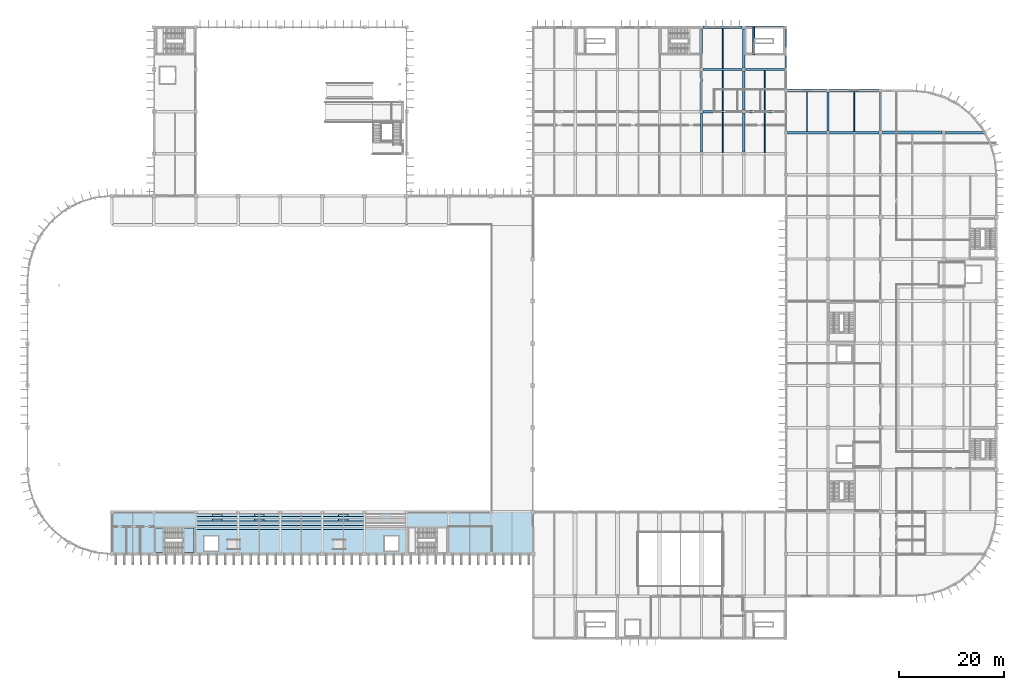
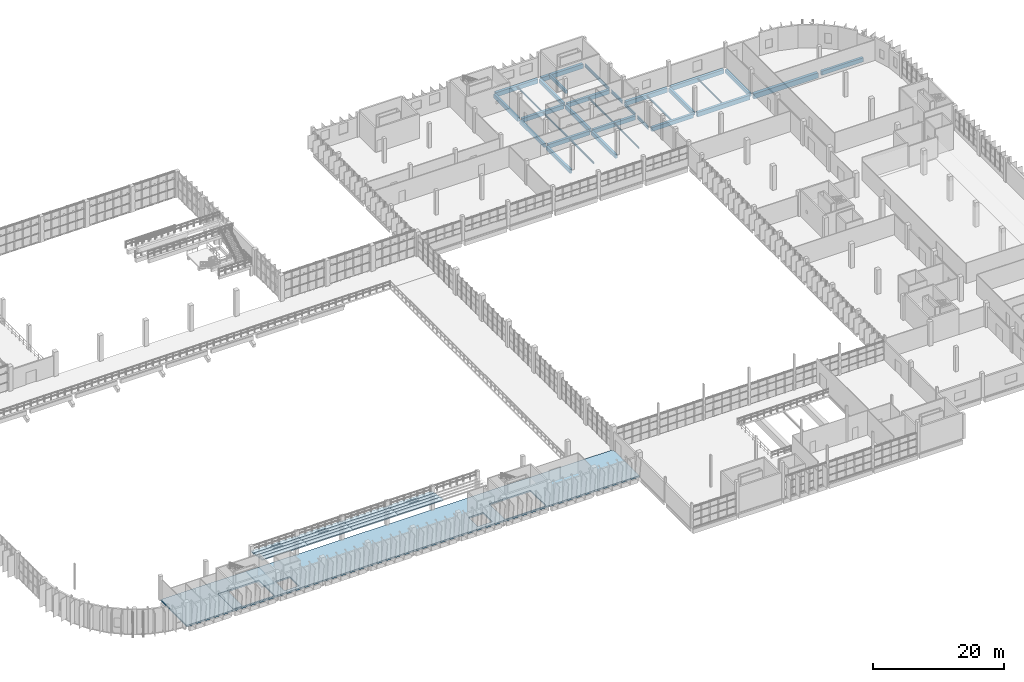
# One storey, part 50 of 93: 32 beams, 19 slabs, 1 element without a shape of its own.
"""IFC4 building model written with IfcOpenShell, lengths in metres."""

from ifc_helpers import new_model, si_unit, direction, frame, origin, origin_2d, place, context, subcontext, project, spatial, polyline, rectangle, i_section, outline, extrude, material, layer, layer_set, material_profile, profile_set, type_object, element, aggregate, save


model = new_model("IFC4")

# Units and contexts
model_context = context("Model", 3, precision=1e-05, world=origin(), true_north=direction((0.0, 1.0)))
body_context = subcontext(model_context, "Body", "Model", "MODEL_VIEW")
ifc_project = project(units=[si_unit("LENGTHUNIT", "METRE"), si_unit("AREAUNIT", "SQUARE_METRE"), si_unit("VOLUMEUNIT", "CUBIC_METRE"), si_unit("PLANEANGLEUNIT", "RADIAN"), si_unit("MASSUNIT", "GRAM", prefix="KILO")], contexts=[model_context])

# Site, building, storey
site_placement = place(None, origin())
site = spatial("IfcSite", under=ifc_project, at=site_placement, CompositionType="ELEMENT")
building_placement = place(site_placement, origin())
building = spatial("IfcBuilding", under=site, at=building_placement, Name="Drelvana Railside Aquatics Centre", CompositionType="ELEMENT")
storey_placement = place(building_placement, frame((0.0, 0.0, 5.39990234375)))
storey = spatial("IfcBuildingStorey", under=building, at=storey_placement, Name="L01", CompositionType="ELEMENT", Elevation=5.39990234375)

# Beams
ifc_material_1 = material(Name="Concrete C40/50", Category="concrete")
ifc_material_profile_1 = material_profile(ifc_material_1, rectangle(XDim=0.35009765625, YDim=0.550048828125, at=origin_2d()), Name="RC 350x550")
ifc_profile_set_1 = profile_set([ifc_material_profile_1], Name="Concrete C40/50")
beam_type_1 = type_object("IfcBeamType", Name="STR-BM-BM-01-RC-350x550", PredefinedType="BEAM", material=ifc_profile_set_1)
beam_1_placement = place(storey_placement, frame((137.89990234375, 110.800048828125, -0.474853515625), z_axis=(0.0, 1.0, 0.0), x_axis=(-1.0, 0.0, 0.0)))
element("IfcBeam", 1, at=beam_1_placement, inside=storey, type_object=beam_type_1, Name="Stair ST-12 L01 landing beam", PredefinedType="BEAM", context=body_context, shape_type="SweptSolid", body=[
    extrude(rectangle(XDim=0.35009765625, YDim=0.550048828125, at=origin_2d()), origin(), (0.0, 0.0, 1.0), 5.199951171875),
])
ifc_material_profile_2 = material_profile(ifc_material_1, rectangle(XDim=0.39990234375, YDim=0.699951171875, at=origin_2d()), Name="RC 400x700")
ifc_profile_set_2 = profile_set([ifc_material_profile_2], Name="Concrete C40/50")
beam_type_2 = type_object("IfcBeamType", Name="STR-BM-BM-03-RC-400x700", PredefinedType="BEAM", material=ifc_profile_set_2)
for number, where, z_axis, x_axis, name in (
    (2, (128.0, 92.300048828125, -0.625), (0.0, 1.0, 0.0), (-1.0, 0.0, 0.0), "Girder BM-03 (L01)"),
    (3, (128.0, 100.300048828125, -0.625), (0.0, 1.0, 0.0), (-1.0, 0.0, 0.0), "Girder BM-03 (L01)"),
    (4, (128.0, 108.300048828125, -0.625), (0.0, 1.0, 0.0), (-1.0, 0.0, 0.0), "Girder BM-03 (L01)"),
    (5, (136.0, 92.300048828125, -0.625), (0.0, 1.0, 0.0), (-1.0, 0.0, 0.0), "Girder BM-03 (L01)"),
    (6, (136.0, 100.300048828125, -0.625), (0.0, 1.0, 0.0), (-1.0, 0.0, 0.0), "Girder BM-03 (L01)"),
    (7, (136.0, 108.300048828125, -0.625), (0.0, 1.0, 0.0), (-1.0, 0.0, 0.0), "Girder BM-03 (L01)"),
):
    element("IfcBeam", number, at=place(storey_placement, frame(where, z_axis=z_axis, x_axis=x_axis)), inside=storey, type_object=beam_type_2, Name=name, PredefinedType="BEAM", context=body_context, shape_type="SweptSolid", body=[
        extrude(rectangle(XDim=0.39990234375, YDim=0.699951171875, at=origin_2d()), origin(), (0.0, 0.0, 1.0), 7.39990234375),
    ])
for number, where, z_axis, x_axis, name in (
    (8, (152.0, 96.324951171875, -0.625), (0.0, 1.0, 0.0), (-1.0, 0.0, 0.0), "Girder BM-03 (L01)"),
    (9, (162.0, 96.324951171875, -0.625), (0.0, 1.0, 0.0), (-1.0, 0.0, 0.0), "Girder BM-03 (L01)"),
):
    element("IfcBeam", number, at=place(storey_placement, frame(where, z_axis=z_axis, x_axis=x_axis)), inside=storey, type_object=beam_type_2, Name=name, PredefinedType="BEAM", context=body_context, shape_type="SweptSolid", body=[
        extrude(rectangle(XDim=0.39990234375, YDim=0.699951171875, at=origin_2d()), origin(), (0.0, 0.0, 1.0), 7.35009765625),
    ])
ifc_material_profile_3 = material_profile(ifc_material_1, rectangle(XDim=0.449951171875, YDim=0.75, at=origin_2d()), Name="RC 450x750")
ifc_profile_set_3 = profile_set([ifc_material_profile_3], Name="Concrete C40/50")
beam_type_3 = type_object("IfcBeamType", Name="STR-BM-BM-04-RC-450x750", PredefinedType="BEAM", material=ifc_profile_set_3)
beam_2_placement = place(storey_placement, frame((144.324951171875, 96.0, -0.64990234375), z_axis=(1.0, 0.0, 0.0), x_axis=(0.0, 1.0, 0.0)))
element("IfcBeam", 10, at=beam_2_placement, inside=storey, type_object=beam_type_3, Name="Girder BM-04 (L01)", PredefinedType="BEAM", context=body_context, shape_type="SweptSolid", body=[
    extrude(rectangle(XDim=0.449951171875, YDim=0.75, at=origin_2d()), origin(), (0.0, 0.0, 1.0), 7.35009765625),
])
beam_3_placement = place(storey_placement, frame((174.324951171875, 96.0, -0.64990234375), z_axis=(1.0, 0.0, 0.0), x_axis=(0.0, 1.0, 0.0)))
element("IfcBeam", 11, at=beam_3_placement, inside=storey, type_object=beam_type_3, Name="Girder BM-04 (L01)", PredefinedType="BEAM", context=body_context, shape_type="SweptSolid", body=[
    extrude(rectangle(XDim=0.449951171875, YDim=0.75, at=origin_2d()), origin(), (0.0, 0.0, 1.0), 7.357177734375),
])
for number, where, z_axis, x_axis, name in (
    (12, (128.300048828125, 100.0, -0.64990234375), (1.0, 0.0, 0.0), (0.0, 1.0, 0.0), "Girder BM-04 (L01)"),
    (13, (136.300048828125, 100.0, -0.64990234375), (1.0, 0.0, 0.0), (0.0, 1.0, 0.0), "Girder BM-04 (L01)"),
    (14, (128.300048828125, 108.0, -0.64990234375), (1.0, 0.0, 0.0), (0.0, 1.0, 0.0), "Girder BM-04 (L01)"),
    (15, (136.300048828125, 108.0, -0.64990234375), (1.0, 0.0, 0.0), (0.0, 1.0, 0.0), "Girder BM-04 (L01)"),
):
    element("IfcBeam", number, at=place(storey_placement, frame(where, z_axis=z_axis, x_axis=x_axis)), inside=storey, type_object=beam_type_3, Name=name, PredefinedType="BEAM", context=body_context, shape_type="SweptSolid", body=[
        extrude(rectangle(XDim=0.449951171875, YDim=0.75, at=origin_2d()), origin(), (0.0, 0.0, 1.0), 7.39990234375),
    ])
ifc_material_profile_4 = material_profile(ifc_material_1, rectangle(XDim=0.449951171875, YDim=0.85009765625, at=origin_2d()), Name="RC 450x850")
ifc_profile_set_4 = profile_set([ifc_material_profile_4], Name="Concrete C40/50")
beam_type_4 = type_object("IfcBeamType", Name="STR-BM-BM-05-RC-450x850", PredefinedType="BEAM", material=ifc_profile_set_4)
beam_4_placement = place(storey_placement, frame((152.324951171875, 96.0, -0.699951171875), z_axis=(1.0, 0.0, 0.0), x_axis=(0.0, 1.0, 0.0)))
element("IfcBeam", 16, at=beam_4_placement, inside=storey, type_object=beam_type_4, Name="Girder BM-05 (L01)", PredefinedType="BEAM", context=body_context, shape_type="SweptSolid", body=[
    extrude(rectangle(XDim=0.449951171875, YDim=0.85009765625, at=origin_2d()), origin(), (0.0, 0.0, 1.0), 9.35009765625),
])
ifc_material_profile_5 = material_profile(ifc_material_1, rectangle(XDim=0.5, YDim=0.800048828125, at=origin_2d()), Name="RC 500x800")
ifc_profile_set_5 = profile_set([ifc_material_profile_5], Name="Concrete C40/50")
beam_type_5 = type_object("IfcBeamType", Name="STR-BM-BM-06-RC-500x800", PredefinedType="SPANDREL", material=ifc_profile_set_5)
beam_5_placement = place(storey_placement, frame((144.324951171875, 104.0, -0.6748046875), z_axis=(1.0, 0.0, 0.0), x_axis=(0.0, 1.0, 0.0)))
element("IfcBeam", 17, at=beam_5_placement, inside=storey, type_object=beam_type_5, Name="Girder BM-06 (L01)", PredefinedType="SPANDREL", context=body_context, shape_type="SweptSolid", body=[
    extrude(rectangle(XDim=0.5, YDim=0.800048828125, at=origin_2d()), origin(), (0.0, 0.0, 1.0), 7.35009765625),
])
beam_6_placement = place(storey_placement, frame((152.324951171875, 104.0, -0.6748046875), z_axis=(1.0, 0.0, 0.0), x_axis=(0.0, 1.0, 0.0)))
element("IfcBeam", 18, at=beam_6_placement, inside=storey, type_object=beam_type_5, Name="Girder BM-06 (L01)", PredefinedType="SPANDREL", context=body_context, shape_type="SweptSolid", body=[
    extrude(rectangle(XDim=0.5, YDim=0.800048828125, at=origin_2d()), origin(), (0.0, 0.0, 1.0), 9.35009765625),
])
for number, where, z_axis, x_axis, name in (
    (19, (128.300048828125, 116.0, -0.6748046875), (1.0, 0.0, 0.0), (0.0, 1.0, 0.0), "Girder BM-06 (L01)"),
    (20, (136.300048828125, 116.0, -0.6748046875), (1.0, 0.0, 0.0), (0.0, 1.0, 0.0), "Girder BM-06 (L01)"),
):
    element("IfcBeam", number, at=place(storey_placement, frame(where, z_axis=z_axis, x_axis=x_axis)), inside=storey, type_object=beam_type_5, Name=name, PredefinedType="SPANDREL", context=body_context, shape_type="SweptSolid", body=[
        extrude(rectangle(XDim=0.5, YDim=0.800048828125, at=origin_2d()), origin(), (0.0, 0.0, 1.0), 7.39990234375),
    ])
ifc_material_profile_6 = material_profile(ifc_material_1, rectangle(XDim=0.550048828125, YDim=0.949951171875, at=origin_2d()), Name="RC 550x950")
ifc_profile_set_6 = profile_set([ifc_material_profile_6], Name="Concrete C40/50")
beam_type_6 = type_object("IfcBeamType", Name="STR-BM-BM-08-RC-550x950", PredefinedType="BEAM", material=ifc_profile_set_6)
beam_7_placement = place(storey_placement, frame((162.324951171875, 96.0, -0.75), z_axis=(1.0, 0.0, 0.0), x_axis=(0.0, 1.0, 0.0)))
element("IfcBeam", 21, at=beam_7_placement, inside=storey, type_object=beam_type_6, Name="Girder BM-08 (L01)", PredefinedType="BEAM", context=body_context, shape_type="SweptSolid", body=[
    extrude(rectangle(XDim=0.550048828125, YDim=0.949951171875, at=origin_2d()), origin(), (0.0, 0.0, 1.0), 11.35009765625),
])
ifc_material_2 = material(Name="Structural steel S355", Category="steel")
ifc_material_profile_7 = material_profile(ifc_material_2, i_section(OverallWidth=0.2099609375, OverallDepth=0.550048828125, WebThickness=0.010986328125, FlangeThickness=0.01708984375, at=origin_2d()), Name="IPE 550")
ifc_profile_set_7 = profile_set([ifc_material_profile_7], Name="Structural steel S355")
beam_type_7 = type_object("IfcBeamType", Name="STR-SBM-SB-04-IPE-550", PredefinedType="SPANDREL", material=ifc_profile_set_7)
for number, where, z_axis, x_axis, name in (
    (22, (144.0, 96.324951171875, -0.5498046875), (0.0, 1.0, 0.0), (-1.0, 0.0, 0.0), "Girder SB-04 (L01)"),
    (23, (144.0, 100.300048828125, -0.5498046875), (0.0, 1.0, 0.0), (-1.0, 0.0, 0.0), "Girder SB-04 (L01)"),
    (24, (144.0, 104.324951171875, -0.5498046875), (0.0, 1.0, 0.0), (-1.0, 0.0, 0.0), "Girder SB-04 (L01)"),
):
    element("IfcBeam", number, at=place(storey_placement, frame(where, z_axis=z_axis, x_axis=x_axis)), inside=storey, type_object=beam_type_7, Name=name, PredefinedType="SPANDREL", context=body_context, shape_type="SweptSolid", body=[
        extrude(i_section(OverallWidth=0.2099609375, OverallDepth=0.550048828125, WebThickness=0.010986328125, FlangeThickness=0.01708984375, at=origin_2d()), origin(), (0.0, 0.0, 1.0), 3.375),
    ])
beam_8_placement = place(storey_placement, frame((144.0, 108.300048828125, -0.5498046875), z_axis=(0.0, 1.0, 0.0), x_axis=(-1.0, 0.0, 0.0)))
element("IfcBeam", 25, at=beam_8_placement, inside=storey, type_object=beam_type_7, Name="Girder SB-04 (L01)", PredefinedType="SPANDREL", context=body_context, shape_type="SweptSolid", body=[
    extrude(i_section(OverallWidth=0.2099609375, OverallDepth=0.550048828125, WebThickness=0.010986328125, FlangeThickness=0.01708984375, at=origin_2d()), origin(), (0.0, 0.0, 1.0), 7.39990234375),
])
ifc_material_profile_8 = material_profile(ifc_material_2, i_section(OverallWidth=0.14990234375, OverallDepth=0.300048828125, WebThickness=0.007080078125, FlangeThickness=0.0107421875, at=origin_2d()), Name="IPE 300")
ifc_profile_set_8 = profile_set([ifc_material_profile_8], Name="Structural steel S355")
beam_type_8 = type_object("IfcBeamType", Name="STR-SBM-SJ-03-IPE-300", PredefinedType="JOIST", material=ifc_profile_set_8)
for number, where, z_axis, x_axis, name in (
    (26, (132.0, 92.22509765625, -0.4248046875), (0.0, 1.0, 0.0), (-1.0, 0.0, 0.0), "Secondary floor joist SJ-03 (L01)"),
    (27, (132.0, 100.22509765625, -0.4248046875), (0.0, 1.0, 0.0), (-1.0, 0.0, 0.0), "Secondary floor joist SJ-03 (L01)"),
):
    element("IfcBeam", number, at=place(storey_placement, frame(where, z_axis=z_axis, x_axis=x_axis)), inside=storey, type_object=beam_type_8, Name=name, PredefinedType="JOIST", context=body_context, shape_type="SweptSolid", body=[
        extrude(i_section(OverallWidth=0.14990234375, OverallDepth=0.300048828125, WebThickness=0.007080078125, FlangeThickness=0.0107421875, at=origin_2d()), origin(), (0.0, 0.0, 1.0), 7.5498046875),
    ])
beam_9_placement = place(storey_placement, frame((132.0, 108.22509765625, -0.4248046875), z_axis=(0.0, 1.0, 0.0), x_axis=(-1.0, 0.0, 0.0)))
element("IfcBeam", 28, at=beam_9_placement, inside=storey, type_object=beam_type_8, Name="Secondary floor joist SJ-03 (L01)", PredefinedType="JOIST", context=body_context, shape_type="SweptSolid", body=[
    extrude(i_section(OverallWidth=0.14990234375, OverallDepth=0.300048828125, WebThickness=0.007080078125, FlangeThickness=0.0107421875, at=origin_2d()), origin(), (0.0, 0.0, 1.0), 7.52490234375),
])
for number, where, z_axis, x_axis, name in (
    (29, (140.0, 92.22509765625, -0.4248046875), (0.0, 1.0, 0.0), (-1.0, 0.0, 0.0), "Secondary floor joist SJ-03 (L01)"),
    (30, (140.0, 100.22509765625, -0.4248046875), (0.0, 1.0, 0.0), (-1.0, 0.0, 0.0), "Secondary floor joist SJ-03 (L01)"),
):
    element("IfcBeam", number, at=place(storey_placement, frame(where, z_axis=z_axis, x_axis=x_axis)), inside=storey, type_object=beam_type_8, Name=name, PredefinedType="JOIST", context=body_context, shape_type="SweptSolid", body=[
        extrude(i_section(OverallWidth=0.14990234375, OverallDepth=0.300048828125, WebThickness=0.007080078125, FlangeThickness=0.0107421875, at=origin_2d()), origin(), (0.0, 0.0, 1.0), 7.5498046875),
    ])
for number, where, z_axis, x_axis, name in (
    (31, (148.0, 96.22509765625, -0.4248046875), (0.0, 1.0, 0.0), (-1.0, 0.0, 0.0), "Secondary floor joist SJ-03 (L01)"),
    (32, (157.0, 96.22509765625, -0.4248046875), (0.0, 1.0, 0.0), (-1.0, 0.0, 0.0), "Secondary floor joist SJ-03 (L01)"),
):
    element("IfcBeam", number, at=place(storey_placement, frame(where, z_axis=z_axis, x_axis=x_axis)), inside=storey, type_object=beam_type_8, Name=name, PredefinedType="JOIST", context=body_context, shape_type="SweptSolid", body=[
        extrude(i_section(OverallWidth=0.14990234375, OverallDepth=0.300048828125, WebThickness=0.007080078125, FlangeThickness=0.0107421875, at=origin_2d()), origin(), (0.0, 0.0, 1.0), 7.52490234375),
    ])

# Slabs
ifc_layer_1 = layer(ifc_material_1, 0.27490234375, Name="Concrete C40/50")
ifc_layer_set_1 = layer_set([ifc_layer_1], Name="Concrete C40/50")
slab_type_1 = type_object("IfcSlabType", Name="SL-L01-275", PredefinedType="FLOOR", material=ifc_layer_set_1)
slab_1_placement = place(storey_placement, frame((0.0, 0.0, -0.27490234375)))
element("IfcSlab", 33, at=slab_1_placement, inside=storey, type_object=slab_type_1, Name="Pool Hall south spectator concourse slab", PredefinedType="FLOOR", context=body_context, shape_type="SweptSolid", body=[
    extrude(outline(polyline([(16.0, 16.0), (96.0, 16.0), (96.0, 24.0), (16.0, 24.0), (16.0, 16.0)]), holes=[polyline([(24.35009765625, 16.25), (31.64990234375, 16.25), (31.64990234375, 20.949951171875), (24.35009765625, 20.949951171875), (24.35009765625, 16.25)]), polyline([(33.60009765625, 16.60009765625), (36.199951171875, 16.60009765625), (36.199951171875, 19.39990234375), (33.60009765625, 19.39990234375), (33.60009765625, 16.60009765625)]), polyline([(72.35009765625, 16.25), (79.64990234375, 16.25), (79.64990234375, 20.949951171875), (72.35009765625, 20.949951171875), (72.35009765625, 16.25)]), polyline([(67.800048828125, 16.60009765625), (70.39990234375, 16.60009765625), (70.39990234375, 19.39990234375), (67.800048828125, 19.39990234375), (67.800048828125, 16.60009765625)])]), origin(), (0.0, 0.0, 1.0), 0.27490234375),
])
ifc_layer_2 = layer(ifc_material_1, 0.199951171875, Name="Concrete C40/50")
ifc_layer_set_2 = layer_set([ifc_layer_2], Name="Concrete C40/50")
slab_type_2 = type_object("IfcSlabType", Name="SL-LAND-200", PredefinedType="LANDING", material=ifc_layer_set_2)
slab_2_placement = place(storey_placement, frame((0.0, 0.0, -0.199951171875)))
element("IfcSlab", 34, at=slab_2_placement, inside=storey, type_object=slab_type_2, Name="Stair ST-01 L01 floor landing", PredefinedType="LANDING", context=body_context, shape_type="SweptSolid", body=[
    extrude(outline(polyline([(24.35009765625, 16.25), (26.030029296875, 16.25), (26.030029296875, 20.949951171875), (24.35009765625, 20.949951171875), (24.35009765625, 16.25)])), origin(), (0.0, 0.0, 1.0), 0.199951171875),
])

# Stair, slab
stair_type = type_object("IfcStairType", Name="ST-CORE-TYP", PredefinedType="HALF_TURN_STAIR", material=ifc_material_1)
stair_placement = place(storey_placement, origin())
stair = element("IfcStair", 35, at=stair_placement, inside=storey, type_object=stair_type, Name="Exit stair ST-01 (L01 to L02)", PredefinedType="HALF_TURN_STAIR")
slab_3_placement = place(storey_placement, frame((0.0, 0.0, 2.2001953125)))
slab_3 = element("IfcSlab", 36, at=slab_3_placement, type_object=slab_type_2, Name="ST-TP landing 1", PredefinedType="LANDING", context=body_context, shape_type="SweptSolid", body=[
    extrude(outline(polyline([(29.409912109375, 16.25), (31.64990234375, 16.25), (31.64990234375, 20.949951171875), (29.409912109375, 20.949951171875), (29.409912109375, 16.25)])), origin(), (0.0, 0.0, 1.0), 0.199951171875),
])
aggregate(stair, [slab_3])

# Slabs
ifc_material_3 = material(Name="Precast concrete C40/50", Category="concrete")
ifc_layer_3 = layer(ifc_material_3, 0.205078125, Name="Precast concrete C40/50")
ifc_layer_set_3 = layer_set([ifc_layer_3], Name="Precast concrete C40/50")
slab_type_3 = type_object("IfcSlabType", Name="SL-TIER-205", PredefinedType="USERDEFINED", material=ifc_layer_set_3)
slab_4_placement = place(storey_placement, frame((0.0, 0.0, 3.29931640625)))
element("IfcSlab", 37, at=slab_4_placement, inside=storey, type_object=slab_type_3, Name="Stand Upper Tier Vomitory Bay 1 Row 1", ObjectType="SEATING TIER", PredefinedType="USERDEFINED", context=body_context, shape_type="SweptSolid", body=[
    extrude(outline(polyline([(32.0, 23.14990234375), (35.10009765625, 23.14990234375), (35.10009765625, 23.530029296875), (36.89990234375, 23.530029296875), (36.89990234375, 23.14990234375), (40.0, 23.14990234375), (40.0, 24.0), (32.0, 24.0), (32.0, 23.14990234375)])), origin(), (0.0, 0.0, 1.0), 0.204833984375),
])
slab_5_placement = place(storey_placement, frame((0.0, 0.0, 3.437255859375)))
element("IfcSlab", 38, at=slab_5_placement, inside=storey, type_object=slab_type_3, Name="Stand Upper Tier Vomitory Bay 1 Row 2", ObjectType="SEATING TIER", PredefinedType="USERDEFINED", context=body_context, shape_type="SweptSolid", body=[
    extrude(outline(polyline([(32.0, 22.300048828125), (35.10009765625, 22.300048828125), (35.10009765625, 22.679931640625), (36.89990234375, 22.679931640625), (36.89990234375, 22.300048828125), (40.0, 22.300048828125), (40.0, 23.14990234375), (32.0, 23.14990234375), (32.0, 22.300048828125)])), origin(), (0.0, 0.0, 1.0), 0.205078125),
])
slab_6_placement = place(storey_placement, frame((0.0, 0.0, 3.575439453125)))
element("IfcSlab", 39, at=slab_6_placement, inside=storey, type_object=slab_type_3, Name="Stand Upper Tier Bay 1 Row 3", ObjectType="SEATING TIER", PredefinedType="USERDEFINED", context=body_context, shape_type="SweptSolid", body=[
    extrude(outline(polyline([(32.0, 21.449951171875), (40.0, 21.449951171875), (40.0, 22.300048828125), (32.0, 22.300048828125), (32.0, 21.449951171875)])), origin(), (0.0, 0.0, 1.0), 0.205078125),
])
slab_7_placement = place(storey_placement, frame((0.0, 0.0, 3.71337890625)))
element("IfcSlab", 40, at=slab_7_placement, inside=storey, type_object=slab_type_3, Name="Stand Upper Tier Bay 1 Row 4", ObjectType="SEATING TIER", PredefinedType="USERDEFINED", context=body_context, shape_type="SweptSolid", body=[
    extrude(outline(polyline([(32.0, 20.60009765625), (40.0, 20.60009765625), (40.0, 21.449951171875), (32.0, 21.449951171875), (32.0, 20.60009765625)])), origin(), (0.0, 0.0, 1.0), 0.205078125),
])
slab_8_placement = place(storey_placement, frame((0.0, 0.0, 3.29931640625)))
element("IfcSlab", 41, at=slab_8_placement, inside=storey, type_object=slab_type_3, Name="Stand Upper Tier Vomitory Bay 2 Row 1", ObjectType="SEATING TIER", PredefinedType="USERDEFINED", context=body_context, shape_type="SweptSolid", body=[
    extrude(outline(polyline([(40.0, 23.14990234375), (43.10009765625, 23.14990234375), (43.10009765625, 23.530029296875), (44.89990234375, 23.530029296875), (44.89990234375, 23.14990234375), (48.0, 23.14990234375), (48.0, 24.0), (40.0, 24.0), (40.0, 23.14990234375)])), origin(), (0.0, 0.0, 1.0), 0.204833984375),
])
slab_9_placement = place(storey_placement, frame((0.0, 0.0, 3.437255859375)))
element("IfcSlab", 42, at=slab_9_placement, inside=storey, type_object=slab_type_3, Name="Stand Upper Tier Vomitory Bay 2 Row 2", ObjectType="SEATING TIER", PredefinedType="USERDEFINED", context=body_context, shape_type="SweptSolid", body=[
    extrude(outline(polyline([(40.0, 22.300048828125), (43.10009765625, 22.300048828125), (43.10009765625, 22.679931640625), (44.89990234375, 22.679931640625), (44.89990234375, 22.300048828125), (48.0, 22.300048828125), (48.0, 23.14990234375), (40.0, 23.14990234375), (40.0, 22.300048828125)])), origin(), (0.0, 0.0, 1.0), 0.205078125),
])
slab_10_placement = place(storey_placement, frame((0.0, 0.0, 3.575439453125)))
element("IfcSlab", 43, at=slab_10_placement, inside=storey, type_object=slab_type_3, Name="Stand Upper Tier Bay 2 Row 3", ObjectType="SEATING TIER", PredefinedType="USERDEFINED", context=body_context, shape_type="SweptSolid", body=[
    extrude(outline(polyline([(40.0, 21.449951171875), (48.0, 21.449951171875), (48.0, 22.300048828125), (40.0, 22.300048828125), (40.0, 21.449951171875)])), origin(), (0.0, 0.0, 1.0), 0.205078125),
])
slab_11_placement = place(storey_placement, frame((0.0, 0.0, 3.71337890625)))
element("IfcSlab", 44, at=slab_11_placement, inside=storey, type_object=slab_type_3, Name="Stand Upper Tier Bay 2 Row 4", ObjectType="SEATING TIER", PredefinedType="USERDEFINED", context=body_context, shape_type="SweptSolid", body=[
    extrude(outline(polyline([(40.0, 20.60009765625), (48.0, 20.60009765625), (48.0, 21.449951171875), (40.0, 21.449951171875), (40.0, 20.60009765625)])), origin(), (0.0, 0.0, 1.0), 0.205078125),
])
slab_12_placement = place(storey_placement, frame((0.0, 0.0, 3.29931640625)))
element("IfcSlab", 45, at=slab_12_placement, inside=storey, type_object=slab_type_3, Name="Stand Upper Tier Bay 3 Row 1", ObjectType="SEATING TIER", PredefinedType="USERDEFINED", context=body_context, shape_type="SweptSolid", body=[
    extrude(outline(polyline([(48.0, 23.14990234375), (56.0, 23.14990234375), (56.0, 24.0), (48.0, 24.0), (48.0, 23.14990234375)])), origin(), (0.0, 0.0, 1.0), 0.204833984375),
])
slab_13_placement = place(storey_placement, frame((0.0, 0.0, 3.437255859375)))
element("IfcSlab", 46, at=slab_13_placement, inside=storey, type_object=slab_type_3, Name="Stand Upper Tier Bay 3 Row 2", ObjectType="SEATING TIER", PredefinedType="USERDEFINED", context=body_context, shape_type="SweptSolid", body=[
    extrude(outline(polyline([(48.0, 22.300048828125), (56.0, 22.300048828125), (56.0, 23.14990234375), (48.0, 23.14990234375), (48.0, 22.300048828125)])), origin(), (0.0, 0.0, 1.0), 0.205078125),
])
slab_14_placement = place(storey_placement, frame((0.0, 0.0, 3.575439453125)))
element("IfcSlab", 47, at=slab_14_placement, inside=storey, type_object=slab_type_3, Name="Stand Upper Tier Bay 3 Row 3", ObjectType="SEATING TIER", PredefinedType="USERDEFINED", context=body_context, shape_type="SweptSolid", body=[
    extrude(outline(polyline([(48.0, 21.449951171875), (56.0, 21.449951171875), (56.0, 22.300048828125), (48.0, 22.300048828125), (48.0, 21.449951171875)])), origin(), (0.0, 0.0, 1.0), 0.205078125),
])
slab_15_placement = place(storey_placement, frame((0.0, 0.0, 3.71337890625)))
element("IfcSlab", 48, at=slab_15_placement, inside=storey, type_object=slab_type_3, Name="Stand Upper Tier Bay 3 Row 4", ObjectType="SEATING TIER", PredefinedType="USERDEFINED", context=body_context, shape_type="SweptSolid", body=[
    extrude(outline(polyline([(48.0, 20.60009765625), (56.0, 20.60009765625), (56.0, 21.449951171875), (48.0, 21.449951171875), (48.0, 20.60009765625)])), origin(), (0.0, 0.0, 1.0), 0.205078125),
])
slab_16_placement = place(storey_placement, frame((0.0, 0.0, 3.29931640625)))
element("IfcSlab", 49, at=slab_16_placement, inside=storey, type_object=slab_type_3, Name="Stand Upper Tier Vomitory Bay 4 Row 1", ObjectType="SEATING TIER", PredefinedType="USERDEFINED", context=body_context, shape_type="SweptSolid", body=[
    extrude(outline(polyline([(56.0, 23.14990234375), (59.10009765625, 23.14990234375), (59.10009765625, 23.530029296875), (60.89990234375, 23.530029296875), (60.89990234375, 23.14990234375), (64.0, 23.14990234375), (64.0, 24.0), (56.0, 24.0), (56.0, 23.14990234375)])), origin(), (0.0, 0.0, 1.0), 0.204833984375),
])
slab_17_placement = place(storey_placement, frame((0.0, 0.0, 3.437255859375)))
element("IfcSlab", 50, at=slab_17_placement, inside=storey, type_object=slab_type_3, Name="Stand Upper Tier Vomitory Bay 4 Row 2", ObjectType="SEATING TIER", PredefinedType="USERDEFINED", context=body_context, shape_type="SweptSolid", body=[
    extrude(outline(polyline([(56.0, 22.300048828125), (59.10009765625, 22.300048828125), (59.10009765625, 22.679931640625), (60.89990234375, 22.679931640625), (60.89990234375, 22.300048828125), (64.0, 22.300048828125), (64.0, 23.14990234375), (56.0, 23.14990234375), (56.0, 22.300048828125)])), origin(), (0.0, 0.0, 1.0), 0.205078125),
])
slab_18_placement = place(storey_placement, frame((0.0, 0.0, 3.575439453125)))
element("IfcSlab", 51, at=slab_18_placement, inside=storey, type_object=slab_type_3, Name="Stand Upper Tier Bay 4 Row 3", ObjectType="SEATING TIER", PredefinedType="USERDEFINED", context=body_context, shape_type="SweptSolid", body=[
    extrude(outline(polyline([(56.0, 21.449951171875), (64.0, 21.449951171875), (64.0, 22.300048828125), (56.0, 22.300048828125), (56.0, 21.449951171875)])), origin(), (0.0, 0.0, 1.0), 0.205078125),
])
slab_19_placement = place(storey_placement, frame((0.0, 0.0, 3.71337890625)))
element("IfcSlab", 52, at=slab_19_placement, inside=storey, type_object=slab_type_3, Name="Stand Upper Tier Bay 4 Row 4", ObjectType="SEATING TIER", PredefinedType="USERDEFINED", context=body_context, shape_type="SweptSolid", body=[
    extrude(outline(polyline([(56.0, 20.60009765625), (64.0, 20.60009765625), (64.0, 21.449951171875), (56.0, 21.449951171875), (56.0, 20.60009765625)])), origin(), (0.0, 0.0, 1.0), 0.205078125),
])

save(model, "model.ifc")
